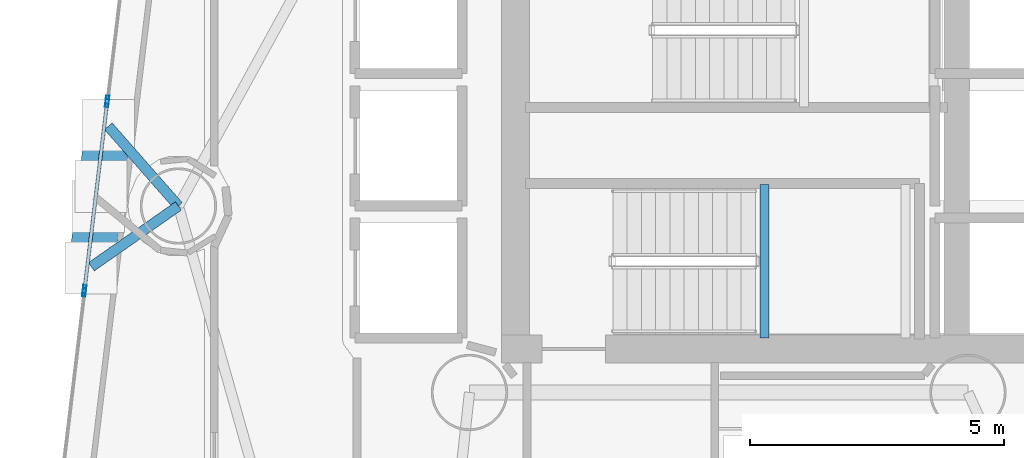
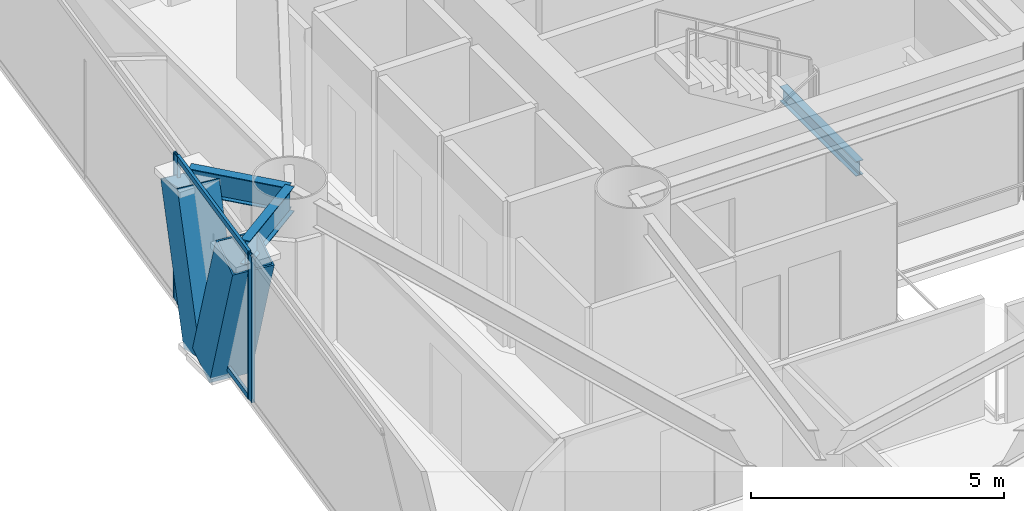
# One storey, part 6 of 18: 8 members, 3 beams, 3 elements without a shape of their own.
"""IFC4 building model written with IfcOpenShell, lengths in metres."""

from ifc_helpers import new_model, si_unit, direction, frame, origin, origin_2d, place, context, subcontext, project, spatial, hollow_rectangle, i_section, extrude, material, layer, layer_set, material_profile, profile_set, type_object, element, aggregate, save


model = new_model("IFC4")

# Units and contexts
model_context = context("Model", 3, precision=1e-05, world=origin(), true_north=direction((0.0, 1.0)))
body_context = subcontext(model_context, "Body", "Model", "MODEL_VIEW")
ifc_project = project(units=[si_unit("LENGTHUNIT", "METRE"), si_unit("AREAUNIT", "SQUARE_METRE"), si_unit("VOLUMEUNIT", "CUBIC_METRE"), si_unit("PLANEANGLEUNIT", "RADIAN"), si_unit("MASSUNIT", "GRAM", prefix="KILO")], contexts=[model_context])

# Site, building, storey
site_placement = place(None, origin())
site = spatial("IfcSite", under=ifc_project, at=site_placement, CompositionType="ELEMENT")
building_placement = place(site_placement, origin())
building = spatial("IfcBuilding", under=site, at=building_placement, Name="Qianvela Tower", CompositionType="ELEMENT")
storey_placement = place(building_placement, frame((0.0, 0.0, 116.300048828125)))
storey = spatial("IfcBuildingStorey", under=building, at=storey_placement, Name="L29", CompositionType="ELEMENT", Elevation=116.300048828125)

# Beams
ifc_material_1 = material(Name="Steel Q355B", Category="steel")
ifc_material_profile_1 = material_profile(ifc_material_1, i_section(OverallWidth=0.175048828125, OverallDepth=0.35009765625, WebThickness=0.007080078125, FlangeThickness=0.010986328125, at=origin_2d()), Name="HN350x175x7x11")
ifc_profile_set_1 = profile_set([ifc_material_profile_1], Name="Steel Q355B")
beam_type_1 = type_object("IfcBeamType", Name="BM-HN350-JOIST", PredefinedType="JOIST", material=ifc_profile_set_1)
beam_1_placement = place(storey_placement, frame((34.39990234375, 24.919921875, 1.474853515625), z_axis=(0.0, 1.0, 0.0), x_axis=(-1.0, 0.0, 0.0)))
element("IfcBeam", 1, at=beam_1_placement, inside=storey, type_object=beam_type_1, Name="L29 Stair ST-2 Landing Support Beam 1.1", PredefinedType="JOIST", context=body_context, shape_type="SweptSolid", body=[
    extrude(i_section(OverallWidth=0.175048828125, OverallDepth=0.35009765625, WebThickness=0.007080078125, FlangeThickness=0.010986328125, at=origin_2d()), origin(), (0.0, 0.0, 1.0), 3.02001953125),
])
ifc_material_2 = material(Name="Steel Q355B", Category="steel")
ifc_material_profile_2 = material_profile(ifc_material_2, i_section(OverallWidth=0.199951171875, OverallDepth=0.60009765625, WebThickness=0.010986328125, FlangeThickness=0.01708984375, at=origin_2d()), Name="HN600x200x11x17")
ifc_profile_set_2 = profile_set([ifc_material_profile_2], Name="Steel Q355B")
beam_type_2 = type_object("IfcBeamType", Name="BM-HN600-GIRD", PredefinedType="BEAM", material=ifc_profile_set_2)
beam_2_placement = place(storey_placement, frame((22.8779296875, 27.51611328125, 3.218017578125), z_axis=(-0.660184630487, 0.751103357514, 0.0), x_axis=(-0.751103357514, -0.660184630487, 0.0)))
element("IfcBeam", 2, at=beam_2_placement, inside=storey, type_object=beam_type_2, Name="L29 Mega-Brace Column Tie Bracket F2-1", PredefinedType="BEAM", context=body_context, shape_type="SweptSolid", body=[
    extrude(i_section(OverallWidth=0.199951171875, OverallDepth=0.60009765625, WebThickness=0.010986328125, FlangeThickness=0.01708984375, at=origin_2d()), origin(), (0.0, 0.0, 1.0), 2.08642578125),
])
beam_3_placement = place(storey_placement, frame((22.8779296875, 27.51611328125, 3.218017578125), z_axis=(-0.819830616113, -0.572606113209, 0.0), x_axis=(0.572606113209, -0.819830616113, 0.0)))
element("IfcBeam", 3, at=beam_3_placement, inside=storey, type_object=beam_type_2, Name="L29 Mega-Brace Column Tie Bracket F2-2", PredefinedType="BEAM", context=body_context, shape_type="SweptSolid", body=[
    extrude(i_section(OverallWidth=0.199951171875, OverallDepth=0.60009765625, WebThickness=0.010986328125, FlangeThickness=0.01708984375, at=origin_2d()), origin(), (0.0, 0.0, 1.0), 2.086669921875),
])

# Curtain wall, members
ifc_material_3 = material(Name="Anodised Architectural Aluminium and Insulated Spandrel Panel", Category="aluminium")
ifc_layer_1 = layer(ifc_material_3, 0.179931640625)
ifc_layer_set_1 = layer_set([ifc_layer_1], Name="Anodised Architectural Aluminium and Insulated Spandrel Panel")
curtain_wall_type_1 = type_object("IfcCurtainWallType", Name="CW-BRACEBAY", PredefinedType="USERDEFINED", material=ifc_layer_set_1)
curtain_wall_1_placement = place(storey_placement, origin())
curtain_wall_1 = element("IfcCurtainWall", 4, at=curtain_wall_1_placement, inside=storey, type_object=curtain_wall_type_1, Name="L29 CW-BRACEBAY Curtain Wall 04B", ObjectType="CURTAIN_WALL_SYSTEM", PredefinedType="USERDEFINED")
ifc_material_4 = material(Name="Anodised Architectural Aluminium 6063-T6", Category="aluminium")
ifc_material_profile_3 = material_profile(ifc_material_4, hollow_rectangle(XDim=0.06494140625, YDim=0.159912109375, WallThickness=0.0048828125, at=origin_2d()), Name="ALU-MULL-65x160")
ifc_profile_set_3 = profile_set([ifc_material_profile_3], Name="Anodised Architectural Aluminium 6063-T6")
member_type_1 = type_object("IfcMemberType", Name="CW-BRACEBAY-MULL", PredefinedType="MULLION", material=ifc_profile_set_3)
member_1_placement = place(storey_placement, frame((21.474853515625, 29.53955078125, 0.0), z_axis=(0.0, 0.0, 1.0), x_axis=(0.992799659712, -0.119786625614, 0.0)))
member_1 = element("IfcMember", 5, at=member_1_placement, type_object=member_type_1, Name="CW-9 mullion 1", PredefinedType="MULLION", context=body_context, shape_type="SweptSolid", body=[
    extrude(hollow_rectangle(XDim=0.06494140625, YDim=0.159912109375, WallThickness=0.0048828125, at=origin_2d()), origin(), (0.0, 0.0, 1.0), 3.52001953125),
])
member_2_placement = place(storey_placement, frame((21.033447265625, 25.880859375, 0.0), z_axis=(0.0, 0.0, 1.0), x_axis=(0.992799659712, -0.119786625614, 0.0)))
member_2 = element("IfcMember", 6, at=member_2_placement, type_object=member_type_1, Name="CW-9 mullion 2", PredefinedType="MULLION", context=body_context, shape_type="SweptSolid", body=[
    extrude(hollow_rectangle(XDim=0.06494140625, YDim=0.159912109375, WallThickness=0.0048828125, at=origin_2d()), origin(), (0.0, 0.0, 1.0), 3.52001953125),
])
ifc_material_5 = material(Name="Anodised Architectural Aluminium 6063-T6", Category="aluminium")
ifc_material_profile_4 = material_profile(ifc_material_5, hollow_rectangle(XDim=0.06494140625, YDim=0.1298828125, WallThickness=0.00439453125, at=origin_2d()), Name="ALU-TRAN-65x130")
ifc_profile_set_4 = profile_set([ifc_material_profile_4], Name="Anodised Architectural Aluminium 6063-T6")
member_type_2 = type_object("IfcMemberType", Name="CW-BRACEBAY-TRAN", PredefinedType="USERDEFINED", material=ifc_profile_set_4)
member_3_placement = place(storey_placement, frame((21.470947265625, 29.507080078125, 0.032470703125), z_axis=(-0.119783482953, -0.992800038886, 0.0), x_axis=(0.992800038886, -0.119783482953, 0.0)))
member_3 = element("IfcMember", 7, at=member_3_placement, type_object=member_type_2, Name="CW-9 transom 1.1", ObjectType="TRANSOM", PredefinedType="USERDEFINED", context=body_context, shape_type="SweptSolid", body=[
    extrude(hollow_rectangle(XDim=0.06494140625, YDim=0.1298828125, WallThickness=0.00439453125, at=origin_2d()), origin(), (0.0, 0.0, 1.0), 3.619873046875),
])
member_4_placement = place(storey_placement, frame((21.470947265625, 29.507080078125, 3.487548828125), z_axis=(-0.119783482953, -0.992800038886, 0.0), x_axis=(0.992800038886, -0.119783482953, 0.0)))
member_4 = element("IfcMember", 8, at=member_4_placement, type_object=member_type_2, Name="CW-9 transom 1.2", ObjectType="TRANSOM", PredefinedType="USERDEFINED", context=body_context, shape_type="SweptSolid", body=[
    extrude(hollow_rectangle(XDim=0.06494140625, YDim=0.1298828125, WallThickness=0.00439453125, at=origin_2d()), origin(), (0.0, 0.0, 1.0), 3.619873046875),
])
aggregate(curtain_wall_1, [member_1, member_2, member_3, member_4])

# Curtain wall, member
ifc_material_6 = material(Name="Anodised Architectural Aluminium and Low-E Glass", Category="aluminium")
ifc_layer_2 = layer(ifc_material_6, 0.169921875)
ifc_layer_set_2 = layer_set([ifc_layer_2], Name="Anodised Architectural Aluminium and Low-E Glass")
curtain_wall_type_2 = type_object("IfcCurtainWallType", Name="CW-COLIV-Z34", PredefinedType="USERDEFINED", material=ifc_layer_set_2)
curtain_wall_2_placement = place(storey_placement, origin())
curtain_wall_2 = element("IfcCurtainWall", 9, at=curtain_wall_2_placement, inside=storey, type_object=curtain_wall_type_2, Name="L29 CW-COLIV-Z34 Curtain Wall 04A", ObjectType="CURTAIN_WALL_SYSTEM", PredefinedType="USERDEFINED")
ifc_material_7 = material(Name="Anodised Architectural Aluminium 6063-T6", Category="aluminium")
ifc_material_profile_5 = material_profile(ifc_material_7, hollow_rectangle(XDim=0.06494140625, YDim=0.159912109375, WallThickness=0.0048828125, at=origin_2d()), Name="ALU-MULL-65x160")
ifc_profile_set_5 = profile_set([ifc_material_profile_5], Name="Anodised Architectural Aluminium 6063-T6")
member_type_3 = type_object("IfcMemberType", Name="CW-COLIV-Z34-MULL", PredefinedType="MULLION", material=ifc_profile_set_5)
member_5_placement = place(storey_placement, frame((21.482666015625, 29.60400390625, 0.0), z_axis=(0.0, 0.0, 1.0), x_axis=(0.992799698454, -0.119786304516, 0.0)))
member_5 = element("IfcMember", 10, at=member_5_placement, type_object=member_type_3, Name="CW-4 mullion 2", PredefinedType="MULLION", context=body_context, shape_type="SweptSolid", body=[
    extrude(hollow_rectangle(XDim=0.06494140625, YDim=0.159912109375, WallThickness=0.0048828125, at=origin_2d()), origin(), (0.0, 0.0, 1.0), 3.52001953125),
])
aggregate(curtain_wall_2, [member_5])

curtain_wall_3_placement = place(storey_placement, origin())
curtain_wall_3 = element("IfcCurtainWall", 11, at=curtain_wall_3_placement, inside=storey, type_object=curtain_wall_type_2, Name="L29 CW-COLIV-Z34 Curtain Wall 04C", ObjectType="CURTAIN_WALL_SYSTEM", PredefinedType="USERDEFINED")
member_6_placement = place(storey_placement, frame((21.025634765625, 25.81640625, 0.0), z_axis=(0.0, 0.0, 1.0), x_axis=(0.99279898428, -0.119792223509, 0.0)))
member_6 = element("IfcMember", 12, at=member_6_placement, type_object=member_type_3, Name="CW-4 mullion 1", PredefinedType="MULLION", context=body_context, shape_type="SweptSolid", body=[
    extrude(hollow_rectangle(XDim=0.06494140625, YDim=0.159912109375, WallThickness=0.0048828125, at=origin_2d()), origin(), (0.0, 0.0, 1.0), 3.52001953125),
])
aggregate(curtain_wall_3, [member_6])

# Members
ifc_material_8 = material(Name="Steel Q420GJC", Category="steel")
ifc_material_profile_6 = material_profile(ifc_material_8, hollow_rectangle(XDim=0.89990234375, YDim=0.89990234375, WallThickness=0.035888671875, at=origin_2d()), Name="MBOX-900x900x36")
ifc_profile_set_6 = profile_set([ifc_material_profile_6], Name="Steel Q420GJC")
member_type_4 = type_object("IfcMemberType", Name="MBR-MBRACE-900", PredefinedType="BRACE", material=ifc_profile_set_6)
for number, where, z_axis, x_axis, name in (
    (13, (21.360107421875, 27.920654296875, -0.14013671875), (0.039471869016, 0.326895722184, 0.944235753599), (-0.992788769925, 0.119876846432, 0.0), "L29 Tier 5 Exterior Mega-Brace F2A"),
    (14, (21.307373046875, 27.48388671875, -0.14013671875), (-0.039403328963, -0.326896607179, 0.944238309899), (0.992813561156, -0.119671353235, 0.0), "L29 Tier 5 Exterior Mega-Brace F2B"),
):
    element("IfcMember", number, at=place(storey_placement, frame(where, z_axis=z_axis, x_axis=x_axis)), inside=storey, type_object=member_type_4, Name=name, PredefinedType="BRACE", context=body_context, shape_type="SweptSolid", body=[
        extrude(hollow_rectangle(XDim=0.89990234375, YDim=0.89990234375, WallThickness=0.035888671875, at=origin_2d()), origin(), (0.0, 0.0, 1.0), 3.556396484375),
    ])

save(model, "model.ifc")
